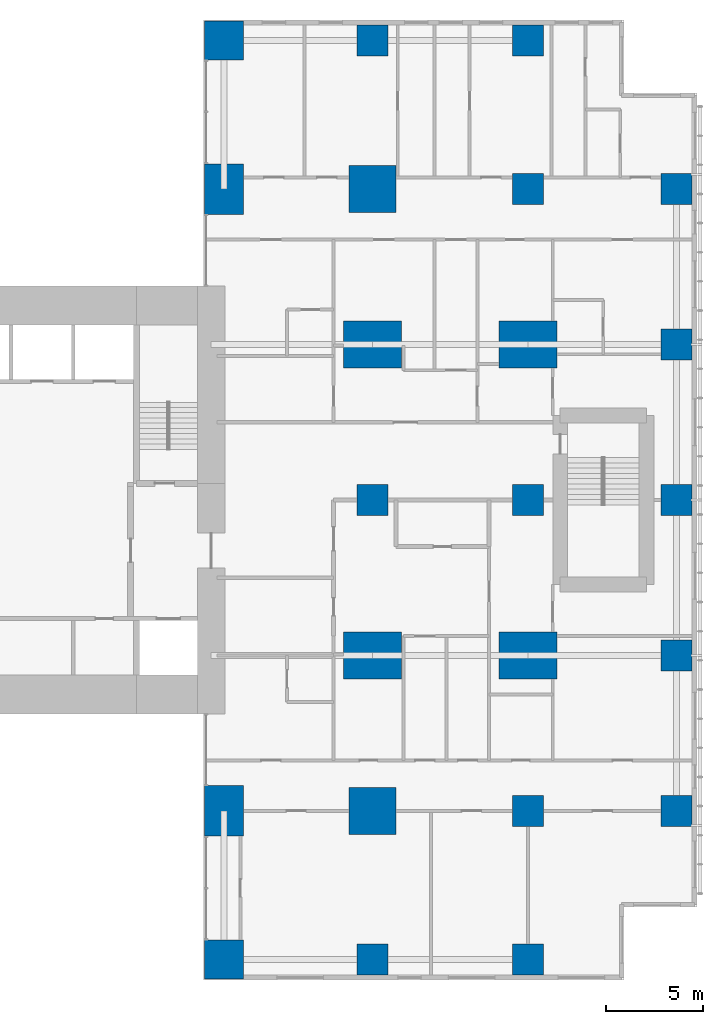
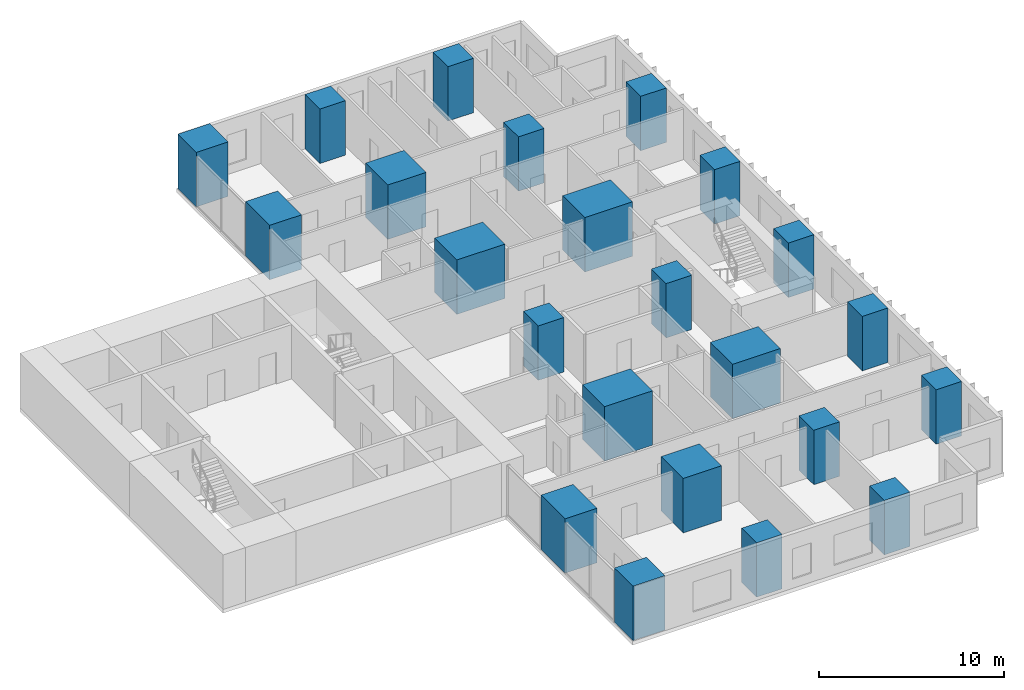
# One storey, part 1 of 12: 23 columns.
"""IFC4 building model written with IfcOpenShell, lengths in metres."""

import ifcopenshell
import ifcopenshell.guid

model = None  # the IFC model being written
_history = None  # IfcOwnerHistory: only IFC2X3 demands one
_inside = {}  # id of a spatial element -> (the spatial element, [elements in it])
_under = {}  # id of a project, library or spatial element -> (it, [spatial elements below it])
_declared = {}  # id of a project -> (the project, [libraries it declares])
_typed = {}  # id of a type object -> (the type object, [elements of that type])
_made_of = {}  # id of a material, layer set ... -> (it, [elements and type objects made of it])


def new_model(schema):
    """Start an empty IFC model of exactly this schema.

    Asked for "IFC4X3", IfcOpenShell would pick the latest addendum, in which some entities
    have other attributes; the version numbers below select the first issue.
    IFC2X3 requires an IfcOwnerHistory on every rooted entity: one is made here for all.
    """
    global model, _history
    if schema == "IFC4X3":
        model = ifcopenshell.file(schema_version=(4, 3, 0, 0))
    else:
        model = ifcopenshell.file(schema=schema)
    _inside.clear()
    _under.clear()
    _declared.clear()
    _typed.clear()
    _made_of.clear()
    _history = None
    if model.schema == "IFC2X3":
        org = make("IfcOrganization", Name="unknown")
        user = make(
            "IfcPersonAndOrganization",
            ThePerson=make("IfcPerson", FamilyName="unknown"),
            TheOrganization=org,
        )
        app = make(
            "IfcApplication",
            ApplicationDeveloper=org,
            Version="unknown",
            ApplicationFullName="unknown",
            ApplicationIdentifier="unknown",
        )
        _history = make(
            "IfcOwnerHistory",
            OwningUser=user,
            OwningApplication=app,
            ChangeAction="ADDED",
            CreationDate=0,
        )
    return model


def make(cls, **values):
    """One entity of the class cls with the attributes given. An attribute that is None is left unset."""
    return model.create_entity(
        cls, **{name: value for name, value in values.items() if value is not None}
    )


def rooted(cls, **values):
    """An entity with a GlobalId (a new one), such as an element, a storey or a relation."""
    return make(cls, GlobalId=ifcopenshell.guid.new(), OwnerHistory=_history, **values)


def si_unit(unit_type, name, prefix=None):
    """IfcSIUnit, for example si_unit("LENGTHUNIT", "METRE", prefix="MILLI")."""
    return make("IfcSIUnit", UnitType=unit_type, Prefix=prefix, Name=name)


def assignment(units):
    """IfcUnitAssignment: the units of a project."""
    return None if units is None else make("IfcUnitAssignment", Units=units)


def point(xyz):
    """IfcCartesianPoint."""
    return None if xyz is None else make("IfcCartesianPoint", Coordinates=xyz)


def direction(xyz):
    """IfcDirection."""
    return None if xyz is None else make("IfcDirection", DirectionRatios=xyz)


def frame(location, z_axis=None, x_axis=None):
    """IfcAxis2Placement3D, a coordinate frame: its origin and axes. An axis left out is left unset."""
    return make(
        "IfcAxis2Placement3D",
        Location=point(location),
        Axis=direction(z_axis),
        RefDirection=direction(x_axis),
    )


def frame_2d(location, x_axis=None):
    """IfcAxis2Placement2D, a coordinate frame in the plane: its origin and x axis."""
    return make(
        "IfcAxis2Placement2D", Location=point(location), RefDirection=direction(x_axis)
    )


def origin():
    """The frame at (0, 0, 0) with its axes left unset."""
    return frame((0.0, 0.0, 0.0))


def origin_2d():
    """The frame at (0, 0) in the plane with its x axis left unset."""
    return frame_2d((0.0, 0.0))


def place(relative_to, where):
    """IfcLocalPlacement: puts the frame where relative to a parent placement (None: the world)."""
    return make(
        "IfcLocalPlacement", PlacementRelTo=relative_to, RelativePlacement=where
    )


def context(
    kind, dimensions, precision=None, world=None, true_north=None, identifier=None
):
    """IfcGeometricRepresentationContext, for example the 3D "Model" context."""
    return make(
        "IfcGeometricRepresentationContext",
        ContextIdentifier=identifier,
        ContextType=kind,
        CoordinateSpaceDimension=dimensions,
        Precision=precision,
        WorldCoordinateSystem=world,
        TrueNorth=true_north,
    )


def subcontext(parent, identifier, kind, view, scale=None):
    """IfcGeometricRepresentationSubContext, for example "Body" below "Model"."""
    return make(
        "IfcGeometricRepresentationSubContext",
        ContextIdentifier=identifier,
        ContextType=kind,
        ParentContext=parent,
        TargetScale=scale,
        TargetView=view,
    )


def project(units=None, contexts=None):
    """IfcProject with its units and contexts."""
    return rooted(
        "IfcProject",
        Name="project",
        RepresentationContexts=contexts,
        UnitsInContext=assignment(units),
    )


def spatial(cls, under=None, at=None, **own):
    """A site, building, storey or space (cls), placed at a placement, below another one or the project."""
    s = rooted(cls, ObjectPlacement=at, **own)
    if under is not None:
        _under.setdefault(under.id(), (under, []))[1].append(s)
    return s


def profile(cls, at=None, kind="AREA", **sizes):
    """A parametric profile (cls). Its sizes go by their IFC names, for example OverallWidth=200.0."""
    return make(cls, ProfileType=kind, Position=at, **sizes)


def rectangle(**sizes):
    """IfcRectangleProfileDef."""
    return profile("IfcRectangleProfileDef", **sizes)


def extrude(swept, where, along, depth):
    """IfcExtrudedAreaSolid: the profile swept, set in the frame where, extruded along a direction by depth."""
    return make(
        "IfcExtrudedAreaSolid",
        SweptArea=swept,
        Position=where,
        ExtrudedDirection=direction(along),
        Depth=depth,
    )


def shape(context_of_items, identifier, shape_type, items):
    """IfcShapeRepresentation: the items that make up one representation, for example the "Body"."""
    return make(
        "IfcShapeRepresentation",
        ContextOfItems=context_of_items,
        RepresentationIdentifier=identifier,
        RepresentationType=shape_type,
        Items=items,
    )


def material(Name=None, Category=None):
    """IfcMaterial."""
    return make("IfcMaterial", Name=Name, Category=Category)


def material_profile(
    of_material, cross_section, Name=None, Category=None, Priority=None
):
    """IfcMaterialProfile: a cross section and its material."""
    return make(
        "IfcMaterialProfile",
        Name=Name,
        Material=of_material,
        Profile=cross_section,
        Priority=Priority,
        Category=Category,
    )


def profile_set(profiles, Name=None, composite=None):
    """IfcMaterialProfileSet."""
    return make(
        "IfcMaterialProfileSet",
        Name=Name,
        MaterialProfiles=profiles,
        CompositeProfile=composite,
    )


def made_of(thing, what):
    """Note that an element or type object is made of a material, layer set ...; save() writes the relation."""
    if what is not None:
        _made_of.setdefault(what.id(), (what, []))[1].append(thing)
    return thing


def type_object(cls, material=None, **own):
    """A type object (cls), such as IfcWallType, which elements share."""
    return made_of(rooted(cls, **own), material)


def element(
    cls,
    number,
    at=None,
    inside=None,
    cuts=None,
    type_object=None,
    material=None,
    context=None,
    identifier="Body",
    shape_type=None,
    held_by="IfcProductDefinitionShape",
    body=None,
    shapes=None,
    **own,
):
    """One element of the class cls, such as IfcWall. Its Tag is "e" and its number.

    at: its placement. inside: the storey or other place that contains it. cuts: it is an
    opening in that element (IfcRelVoidsElement). A single representation is given by context,
    identifier, shape_type and body (its items); several are given by shapes. held_by: the class
    of the entity that holds the representations. save() writes the other relations.
    """
    e = rooted(cls, Tag="e%d" % number, ObjectPlacement=at, **own)
    if body is not None:
        shapes = [shape(context, identifier, shape_type, body)]
    if shapes is not None:
        e.Representation = make(held_by, Representations=shapes)
    if inside is not None:
        _inside.setdefault(inside.id(), (inside, []))[1].append(e)
    if cuts is not None:
        rooted(
            "IfcRelVoidsElement", RelatingBuildingElement=cuts, RelatedOpeningElement=e
        )
    if type_object is not None:
        _typed.setdefault(type_object.id(), (type_object, []))[1].append(e)
    return made_of(e, material)


def aggregate(whole, parts):
    """IfcRelAggregates: a whole, such as a stair, and the parts it consists of."""
    return rooted("IfcRelAggregates", RelatingObject=whole, RelatedObjects=parts)


def save(model, path):
    """Write the relations noted so far, then the file.

    IfcRelAggregates (storeys below a building ...), IfcRelContainedInSpatialStructure (elements
    in a storey), IfcRelDefinesByType, IfcRelAssociatesMaterial and IfcRelDeclares: one each for
    every whole, place, type object, material and project.
    """
    for whole, parts in _under.values():
        aggregate(whole, parts)
    for where, things in _inside.values():
        rooted(
            "IfcRelContainedInSpatialStructure",
            RelatedElements=things,
            RelatingStructure=where,
        )
    for kind, things in _typed.values():
        rooted("IfcRelDefinesByType", RelatedObjects=things, RelatingType=kind)
    for what, things in _made_of.values():
        rooted("IfcRelAssociatesMaterial", RelatedObjects=things, RelatingMaterial=what)
    for by, libraries in _declared.values():
        rooted("IfcRelDeclares", RelatingContext=by, RelatedDefinitions=libraries)
    model.write(path)


model = new_model("IFC4")

# Units and contexts
model_context = context("Model", 3, precision=1e-05, world=origin(), true_north=direction((0.0, 1.0)))
body_context = subcontext(model_context, "Body", "Model", "MODEL_VIEW")
ifc_project = project(units=[si_unit("LENGTHUNIT", "METRE"), si_unit("AREAUNIT", "SQUARE_METRE"), si_unit("VOLUMEUNIT", "CUBIC_METRE"), si_unit("PLANEANGLEUNIT", "RADIAN"), si_unit("MASSUNIT", "GRAM", prefix="KILO")], contexts=[model_context])

# Site, building, storey
site_placement = place(None, origin())
site = spatial("IfcSite", under=ifc_project, at=site_placement, CompositionType="ELEMENT")
building_placement = place(site_placement, origin())
building = spatial("IfcBuilding", under=site, at=building_placement, Name="Cleftline Residences", CompositionType="ELEMENT")
storey_placement = place(building_placement, frame((0.0, 0.0, 270.0)))
storey = spatial("IfcBuildingStorey", under=building, at=storey_placement, Name="L71", CompositionType="ELEMENT", Elevation=270.0)

# Columns
ifc_material_1 = material(Name="Concrete B70", Category="concrete")
ifc_material_profile_1 = material_profile(ifc_material_1, rectangle(XDim=1.60009765625, YDim=1.60009765625, at=origin_2d()))
ifc_profile_set_1 = profile_set([ifc_material_profile_1], Name="Concrete B70")
column_type_1 = type_object("IfcColumnType", Name="COLUMN RC1600X1600", PredefinedType="COLUMN", material=ifc_profile_set_1)
for number, where, z_axis, x_axis, name in (
    (1, (50.0, 0.35009765625, 0.0), (0.0, 0.0, 1.0), (1.0, 0.0, 0.0), "Column C/9"),
    (2, (50.0, 24.0, 0.0), (0.0, 0.0, 1.0), (1.0, 0.0, 0.0), "Column F/9"),
    (3, (50.0, 47.64990234375, 0.0), (0.0, 0.0, 1.0), (1.0, 0.0, 0.0), "Column J/9"),
    (4, (58.0, 0.35009765625, 0.0), (0.0, 0.0, 1.0), (1.0, 0.0, 0.0), "Column C/10"),
    (5, (58.0, 8.0, 0.0), (0.0, 0.0, 1.0), (1.0, 0.0, 0.0), "Column D/10"),
    (6, (58.0, 24.0, 0.0), (0.0, 0.0, 1.0), (1.0, 0.0, 0.0), "Column F/10"),
    (7, (58.0, 40.0, 0.0), (0.0, 0.0, 1.0), (1.0, 0.0, 0.0), "Column H/10"),
    (8, (58.0, 47.64990234375, 0.0), (0.0, 0.0, 1.0), (1.0, 0.0, 0.0), "Column J/10"),
    (9, (65.64990234375, 8.0, 0.0), (0.0, 0.0, 1.0), (1.0, 0.0, 0.0), "Column D/11"),
    (10, (65.64990234375, 16.0, 0.0), (0.0, 0.0, 1.0), (1.0, 0.0, 0.0), "Column E/11"),
    (11, (65.64990234375, 24.0, 0.0), (0.0, 0.0, 1.0), (1.0, 0.0, 0.0), "Column F/11"),
    (12, (65.64990234375, 32.0, 0.0), (0.0, 0.0, 1.0), (1.0, 0.0, 0.0), "Column G/11"),
    (13, (65.64990234375, 40.0, 0.0), (0.0, 0.0, 1.0), (1.0, 0.0, 0.0), "Column H/11"),
):
    element("IfcColumn", number, at=place(storey_placement, frame(where, z_axis=z_axis, x_axis=x_axis)), inside=storey, type_object=column_type_1, Name=name, PredefinedType="COLUMN", context=body_context, shape_type="SweptSolid", body=[
        extrude(rectangle(XDim=1.60009765625, YDim=1.60009765625, at=origin_2d()), origin(), (0.0, 0.0, 1.0), 3.60009765625),
    ])
ifc_material_2 = material(Name="Concrete B70", Category="concrete")
ifc_material_profile_2 = material_profile(ifc_material_2, rectangle(XDim=2.0, YDim=2.0, at=origin_2d()))
ifc_profile_set_2 = profile_set([ifc_material_profile_2], Name="Concrete B70")
column_type_2 = type_object("IfcColumnType", Name="COLUMN RC2000X2000", PredefinedType="COLUMN", material=ifc_profile_set_2)
for number, where, z_axis, x_axis, name in (
    (14, (42.35009765625, 0.35009765625, 0.0), (0.0, 0.0, 1.0), (1.0, 0.0, 0.0), "Column C/8"),
    (15, (42.35009765625, 47.64990234375, 0.0), (0.0, 0.0, 1.0), (1.0, 0.0, 0.0), "Column J/8"),
):
    element("IfcColumn", number, at=place(storey_placement, frame(where, z_axis=z_axis, x_axis=x_axis)), inside=storey, type_object=column_type_2, Name=name, PredefinedType="COLUMN", context=body_context, shape_type="SweptSolid", body=[
        extrude(rectangle(XDim=2.0, YDim=2.0, at=origin_2d()), origin(), (0.0, 0.0, 1.0), 3.60009765625),
    ])
ifc_material_3 = material(Name="Concrete B70", Category="concrete")
ifc_material_profile_3 = material_profile(ifc_material_3, rectangle(XDim=2.0, YDim=2.60009765625, at=origin_2d()))
ifc_profile_set_3 = profile_set([ifc_material_profile_3], Name="Concrete B70")
column_type_3 = type_object("IfcColumnType", Name="COLUMN RC2000X2600", PredefinedType="COLUMN", material=ifc_profile_set_3)
for number, where, z_axis, x_axis, name in (
    (16, (42.35009765625, 8.0, 0.0), (0.0, 0.0, 1.0), (1.0, 0.0, 0.0), "Column D/8"),
    (17, (42.35009765625, 40.0, 0.0), (0.0, 0.0, 1.0), (1.0, 0.0, 0.0), "Column H/8"),
):
    element("IfcColumn", number, at=place(storey_placement, frame(where, z_axis=z_axis, x_axis=x_axis)), inside=storey, type_object=column_type_3, Name=name, PredefinedType="COLUMN", context=body_context, shape_type="SweptSolid", body=[
        extrude(rectangle(XDim=2.0, YDim=2.60009765625, at=origin_2d()), origin(), (0.0, 0.0, 1.0), 3.60009765625),
    ])
ifc_material_4 = material(Name="Concrete B70", Category="concrete")
ifc_material_profile_4 = material_profile(ifc_material_4, rectangle(XDim=2.39990234375, YDim=2.39990234375, at=origin_2d()))
ifc_profile_set_4 = profile_set([ifc_material_profile_4], Name="Concrete B70")
column_type_4 = type_object("IfcColumnType", Name="COLUMN RC2400X2400", PredefinedType="COLUMN", material=ifc_profile_set_4)
for number, where, z_axis, x_axis, name in (
    (18, (50.0, 8.0, 0.0), (0.0, 0.0, 1.0), (1.0, 0.0, 0.0), "Column D/9"),
    (19, (50.0, 40.0, 0.0), (0.0, 0.0, 1.0), (1.0, 0.0, 0.0), "Column H/9"),
):
    element("IfcColumn", number, at=place(storey_placement, frame(where, z_axis=z_axis, x_axis=x_axis)), inside=storey, type_object=column_type_4, Name=name, PredefinedType="COLUMN", context=body_context, shape_type="SweptSolid", body=[
        extrude(rectangle(XDim=2.39990234375, YDim=2.39990234375, at=origin_2d()), origin(), (0.0, 0.0, 1.0), 3.60009765625),
    ])
ifc_material_5 = material(Name="Concrete B70", Category="concrete")
ifc_material_profile_5 = material_profile(ifc_material_5, rectangle(XDim=3.0, YDim=2.39990234375, at=origin_2d()))
ifc_profile_set_5 = profile_set([ifc_material_profile_5], Name="Concrete B70")
column_type_5 = type_object("IfcColumnType", Name="COLUMN RC3000X2400", PredefinedType="COLUMN", material=ifc_profile_set_5)
for number, where, z_axis, x_axis, name in (
    (20, (50.0, 16.0, 0.0), (0.0, 0.0, 1.0), (1.0, 0.0, 0.0), "Column E/9"),
    (21, (50.0, 32.0, 0.0), (0.0, 0.0, 1.0), (1.0, 0.0, 0.0), "Column G/9"),
    (22, (58.0, 16.0, 0.0), (0.0, 0.0, 1.0), (1.0, 0.0, 0.0), "Column E/10"),
    (23, (58.0, 32.0, 0.0), (0.0, 0.0, 1.0), (1.0, 0.0, 0.0), "Column G/10"),
):
    element("IfcColumn", number, at=place(storey_placement, frame(where, z_axis=z_axis, x_axis=x_axis)), inside=storey, type_object=column_type_5, Name=name, PredefinedType="COLUMN", context=body_context, shape_type="SweptSolid", body=[
        extrude(rectangle(XDim=3.0, YDim=2.39990234375, at=origin_2d()), origin(), (0.0, 0.0, 1.0), 3.60009765625),
    ])

save(model, "model.ifc")
